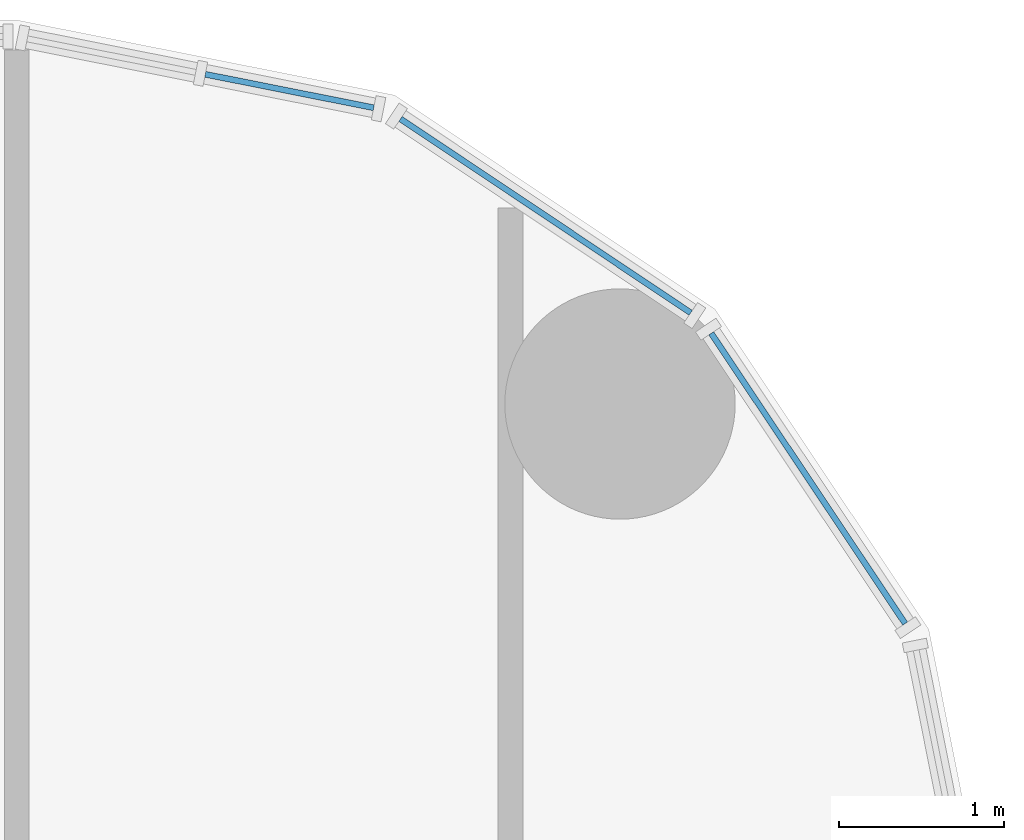
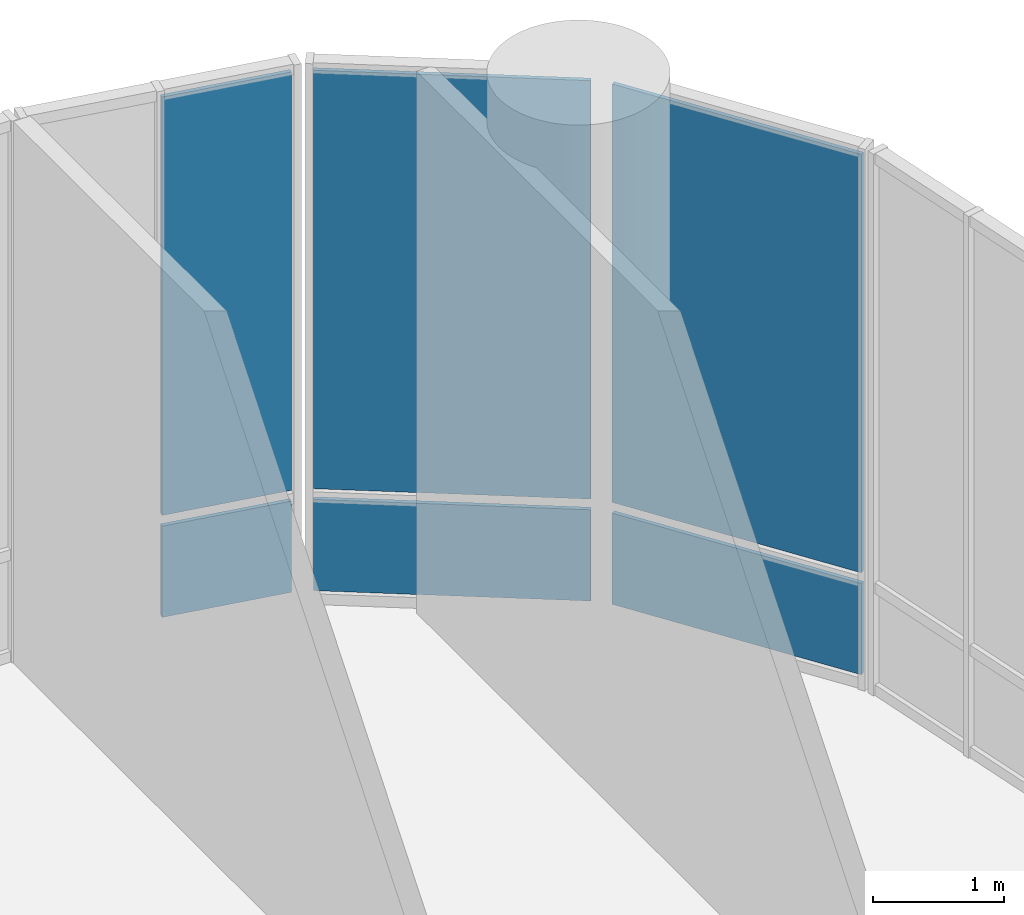
# One storey, part 21 of 28: 6 plates, 3 elements without a shape of their own.
"""IFC4 building model written with IfcOpenShell, lengths in metres."""

from ifc_helpers import new_model, si_unit, direction, frame, origin, origin_2d, place, context, subcontext, project, spatial, rectangle, extrude, material, layer, layer_set, type_object, element, aggregate, save


model = new_model("IFC4")

# Units and contexts
model_context = context("Model", 3, precision=1e-05, world=origin(), true_north=direction((0.0, 1.0)))
body_context = subcontext(model_context, "Body", "Model", "MODEL_VIEW")
ifc_project = project(units=[si_unit("LENGTHUNIT", "METRE"), si_unit("AREAUNIT", "SQUARE_METRE"), si_unit("VOLUMEUNIT", "CUBIC_METRE"), si_unit("PLANEANGLEUNIT", "RADIAN"), si_unit("MASSUNIT", "GRAM", prefix="KILO")], contexts=[model_context])

# Site, building, storey
site_placement = place(None, origin())
site = spatial("IfcSite", under=ifc_project, at=site_placement, CompositionType="ELEMENT")
building_placement = place(site_placement, origin())
building = spatial("IfcBuilding", under=site, at=building_placement, Name="Torana Hotel and Residences", CompositionType="ELEMENT")
storey_placement = place(building_placement, frame((0.0, 0.0, 7.0)))
storey = spatial("IfcBuildingStorey", under=building, at=storey_placement, Name="L01", CompositionType="ELEMENT", Elevation=7.0)

# Curtain wall, plates
ifc_material_1 = material(Name="Dark anodised aluminium", Category="aluminium")
ifc_layer_1 = layer(ifc_material_1, 0.14990234375)
ifc_layer_set_1 = layer_set([ifc_layer_1], Name="CW5 PODIUM UPPER UNITISED CURTAIN WALL")
curtain_wall_type = type_object("IfcCurtainWallType", Name="CW5 PODIUM UPPER UNITISED CURTAIN WALL", PredefinedType="NOTDEFINED", material=ifc_layer_set_1)
curtain_wall_1_placement = place(storey_placement, origin())
curtain_wall_1 = element("IfcCurtainWall", 1, at=curtain_wall_1_placement, inside=storey, type_object=curtain_wall_type, Name="Curtain wall CW5 L01 e1.7", PredefinedType="NOTDEFINED")
ifc_material_2 = material(Name="Glass clear low-iron laminated double glazed unit", Category="glass")
ifc_layer_2 = layer(ifc_material_2, 0.035888671875)
ifc_layer_set_2 = layer_set([ifc_layer_2], Name="CW5 DARK GLASS PANEL 36")
plate_type = type_object("IfcPlateType", Name="CW5 DARK GLASS PANEL 36", PredefinedType="CURTAIN_PANEL", material=ifc_layer_set_2)
plate_1_placement = place(storey_placement, frame((46.809814453125, 5.2138671875, 0.099853515625), z_axis=(0.0, 0.0, 1.0), x_axis=(-0.555585238723, 0.831459585616, 0.0)))
plate_1 = element("IfcPlate", 2, at=plate_1_placement, type_object=plate_type, Name="CW5 panel 1.1", PredefinedType="CURTAIN_PANEL", context=body_context, shape_type="SweptSolid", body=[
    extrude(rectangle(XDim=2.12158203125, YDim=0.035888671875, at=origin_2d()), origin(), (0.0, 0.0, 1.0), 0.85009765625),
])
plate_2_placement = place(storey_placement, frame((46.809814453125, 5.2138671875, 1.050048828125), z_axis=(0.0, 0.0, 1.0), x_axis=(-0.555585238723, 0.831459585616, 0.0)))
plate_2 = element("IfcPlate", 3, at=plate_2_placement, type_object=plate_type, Name="CW5 panel 1.2", PredefinedType="CURTAIN_PANEL", context=body_context, shape_type="SweptSolid", body=[
    extrude(rectangle(XDim=2.12158203125, YDim=0.035888671875, at=origin_2d()), origin(), (0.0, 0.0, 1.0), 3.89990234375),
])
aggregate(curtain_wall_1, [plate_1, plate_2])

curtain_wall_2_placement = place(storey_placement, origin())
curtain_wall_2 = element("IfcCurtainWall", 4, at=curtain_wall_2_placement, inside=storey, type_object=curtain_wall_type, Name="Curtain wall CW5 L01 e1.8", PredefinedType="NOTDEFINED")
plate_3_placement = place(storey_placement, frame((45.2138671875, 6.809814453125, 0.099853515625), z_axis=(0.0, 0.0, 1.0), x_axis=(-0.831459585616, 0.555585238723, 0.0)))
plate_3 = element("IfcPlate", 5, at=plate_3_placement, type_object=plate_type, Name="CW5 panel 1.1", PredefinedType="CURTAIN_PANEL", context=body_context, shape_type="SweptSolid", body=[
    extrude(rectangle(XDim=2.12158203125, YDim=0.035888671875, at=origin_2d()), origin(), (0.0, 0.0, 1.0), 0.85009765625),
])
plate_4_placement = place(storey_placement, frame((45.2138671875, 6.809814453125, 1.050048828125), z_axis=(0.0, 0.0, 1.0), x_axis=(-0.831459585616, 0.555585238723, 0.0)))
plate_4 = element("IfcPlate", 6, at=plate_4_placement, type_object=plate_type, Name="CW5 panel 1.2", PredefinedType="CURTAIN_PANEL", context=body_context, shape_type="SweptSolid", body=[
    extrude(rectangle(XDim=2.12158203125, YDim=0.035888671875, at=origin_2d()), origin(), (0.0, 0.0, 1.0), 3.89990234375),
])
aggregate(curtain_wall_2, [plate_3, plate_4])

curtain_wall_3_placement = place(storey_placement, origin())
curtain_wall_3 = element("IfcCurtainWall", 7, at=curtain_wall_3_placement, inside=storey, type_object=curtain_wall_type, Name="Curtain wall CW5 L01 e1.9", PredefinedType="NOTDEFINED")
plate_5_placement = place(storey_placement, frame((43.6572265625, 7.568359375, 0.099853515625), z_axis=(0.0, 0.0, 1.0), x_axis=(-0.980787135335, 0.195080996415, 0.0)))
plate_5 = element("IfcPlate", 8, at=plate_5_placement, type_object=plate_type, Name="CW5 panel 1.1", PredefinedType="CURTAIN_PANEL", context=body_context, shape_type="SweptSolid", body=[
    extrude(rectangle(XDim=1.04345703125, YDim=0.035888671875, at=origin_2d()), origin(), (0.0, 0.0, 1.0), 0.85009765625),
])
plate_6_placement = place(storey_placement, frame((43.6572265625, 7.568359375, 1.050048828125), z_axis=(0.0, 0.0, 1.0), x_axis=(-0.980787135335, 0.195080996415, 0.0)))
plate_6 = element("IfcPlate", 9, at=plate_6_placement, type_object=plate_type, Name="CW5 panel 1.2", PredefinedType="CURTAIN_PANEL", context=body_context, shape_type="SweptSolid", body=[
    extrude(rectangle(XDim=1.04345703125, YDim=0.035888671875, at=origin_2d()), origin(), (0.0, 0.0, 1.0), 3.89990234375),
])
aggregate(curtain_wall_3, [plate_5, plate_6])

save(model, "model.ifc")
